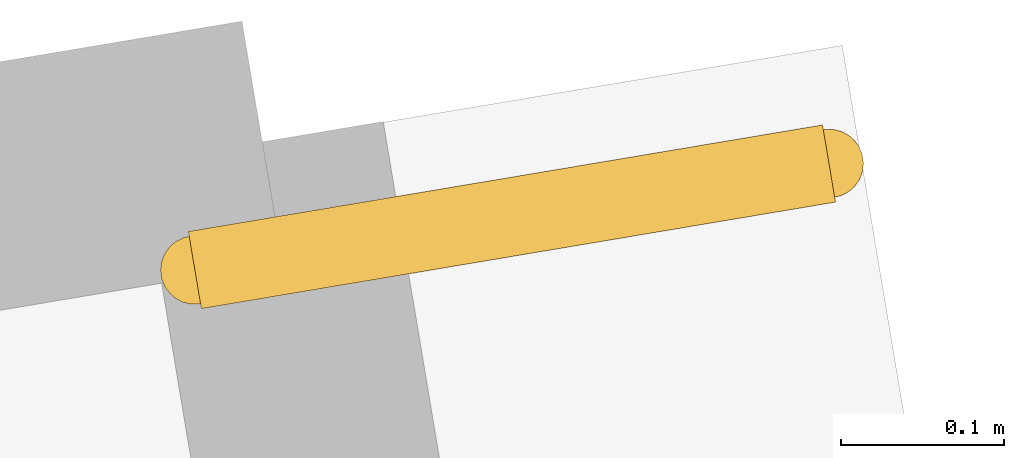
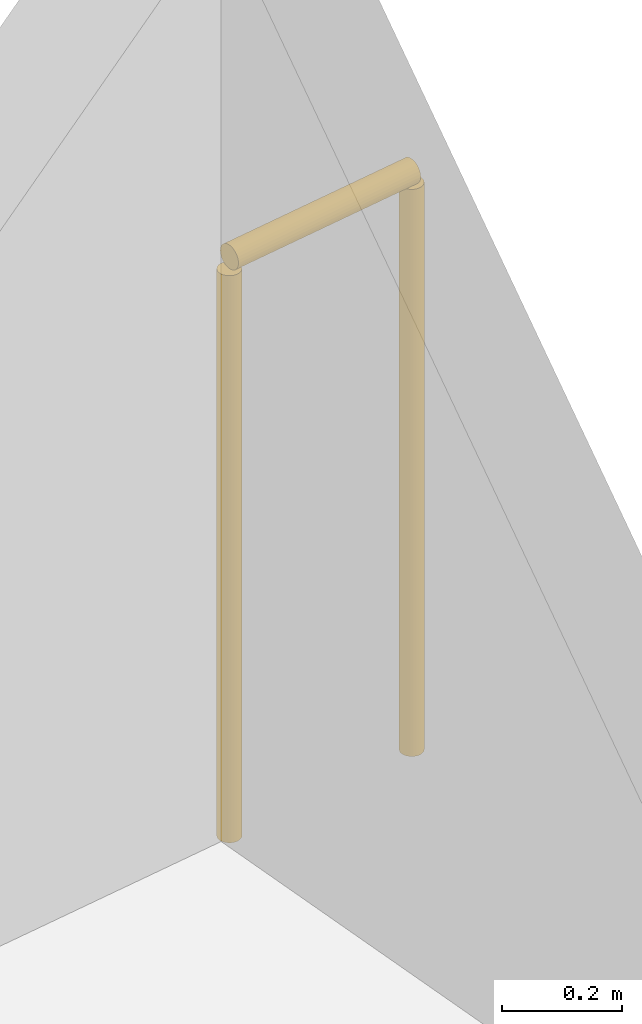
# One storey, part 15 of 16: 1 railing.
"""IFC4 building model written with IfcOpenShell, lengths in metres."""

from ifc_helpers import new_model, si_unit, direction, frame, origin, origin_2d, place, context, subcontext, project, spatial, circle, extrude, material, layer, layer_set, type_object, element, save


model = new_model("IFC4")

# Units and contexts
model_context = context("Model", 3, precision=1e-05, world=origin(), true_north=direction((0.0, 1.0)))
body_context = subcontext(model_context, "Body", "Model", "MODEL_VIEW")
ifc_project = project(units=[si_unit("LENGTHUNIT", "METRE"), si_unit("AREAUNIT", "SQUARE_METRE"), si_unit("VOLUMEUNIT", "CUBIC_METRE"), si_unit("PLANEANGLEUNIT", "RADIAN"), si_unit("MASSUNIT", "GRAM", prefix="KILO")], contexts=[model_context])

# Site, building, storey
site_placement = place(None, origin())
site = spatial("IfcSite", under=ifc_project, at=site_placement, CompositionType="ELEMENT")
building_placement = place(site_placement, origin())
building = spatial("IfcBuilding", under=site, at=building_placement, Name="Gaonmaruhae Medical Tower", CompositionType="ELEMENT")
storey_placement = place(building_placement, frame((0.0, 0.0, 63.0)))
storey = spatial("IfcBuildingStorey", under=building, at=storey_placement, Name="L14", CompositionType="ELEMENT", Elevation=63.0)

# Railing
ifc_material = material(Name="Stainless steel 316L and laminated safety glass", Category="steel")
ifc_layer = layer(ifc_material, 0.080078125)
ifc_layer_set = layer_set([ifc_layer], Name="Stainless steel 316L and laminated safety glass")
railing_type = type_object("IfcRailingType", Name="GD-120 Outdoor Terrace Safety Glass & Steel Balustrade", PredefinedType="BALUSTRADE", material=ifc_layer_set)
railing_placement = place(storey_placement, frame((63.566650390625, 27.41162109375, 0.0)))
element("IfcRailing", 1, at=railing_placement, inside=storey, type_object=railing_type, Name="L14 Perimeter Slab Edge Safety Balustrade 07", PredefinedType="BALUSTRADE", context=body_context, shape_type="SweptSolid", body=[
    extrude(circle(Radius=0.02392578125, at=origin_2d()), frame((0.0, 0.0, 1.17578125), z_axis=(0.986174998293, 0.16570718977, 0.0), x_axis=(-0.16570718977, 0.986174998293, 0.0)), (0.0, 0.0, 1.0), 0.393310546875),
    extrude(circle(Radius=0.02099609375, at=origin_2d()), origin(), (0.0, 0.0, 1.0), 1.15185546875),
    extrude(circle(Radius=0.02099609375, at=origin_2d()), frame((0.387939453125, 0.065185546875, 0.0)), (0.0, 0.0, 1.0), 1.15185546875),
])

save(model, "model.ifc")
